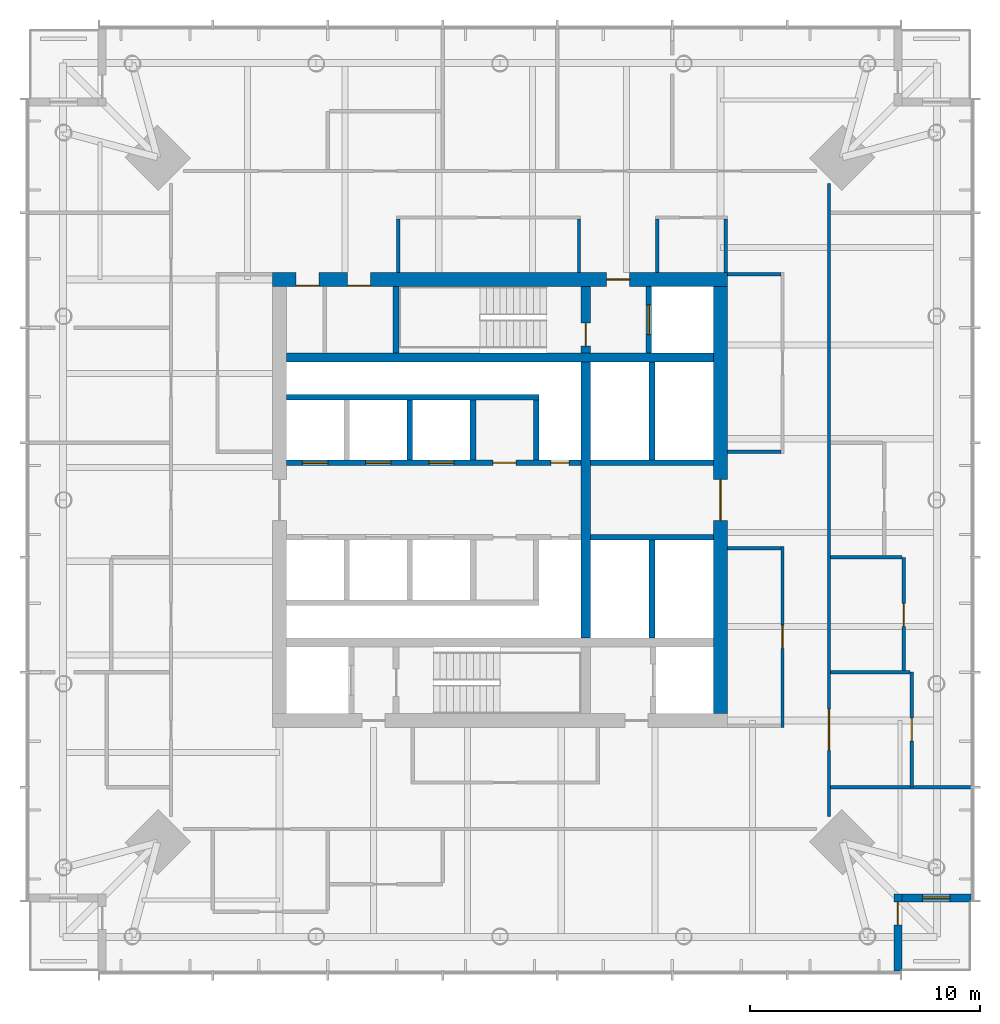
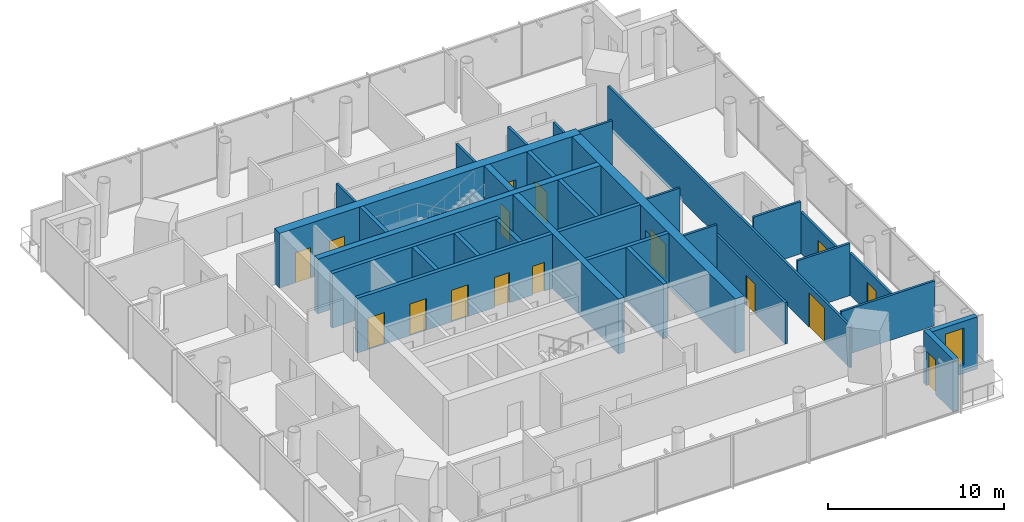
# One storey, part 6 of 9: 32 walls, 16 doors, 1 window, 17 openings.
"""IFC4 building model written with IfcOpenShell, lengths in metres."""

from ifc_helpers import new_model, si_unit, direction, frame, frame_2d, origin, place, context, subcontext, project, spatial, rectangle, extrude, material, layer, layer_set, type_object, element, fill, save


model = new_model("IFC4")

# Units and contexts
model_context = context("Model", 3, precision=1e-05, world=origin(), true_north=direction((0.0, 1.0)))
body_context = subcontext(model_context, "Body", "Model", "MODEL_VIEW")
ifc_project = project(units=[si_unit("LENGTHUNIT", "METRE"), si_unit("AREAUNIT", "SQUARE_METRE"), si_unit("VOLUMEUNIT", "CUBIC_METRE"), si_unit("PLANEANGLEUNIT", "RADIAN"), si_unit("MASSUNIT", "GRAM", prefix="KILO")], contexts=[model_context])

# Site, building, storey
site_placement = place(None, origin())
site = spatial("IfcSite", under=ifc_project, at=site_placement, CompositionType="ELEMENT")
building_placement = place(site_placement, origin())
building = spatial("IfcBuilding", under=site, at=building_placement, Name="Ostroluk Exchange", CompositionType="ELEMENT")
storey_placement = place(building_placement, frame((0.0, 0.0, 176.800048828125)))
storey = spatial("IfcBuildingStorey", under=building, at=storey_placement, Name="L45", CompositionType="ELEMENT", Elevation=176.800048828125)

# Walls
ifc_material_1 = material(Name="Concrete C50/60", Category="concrete")
ifc_layer_1 = layer(ifc_material_1, 0.39990234375)
ifc_layer_set_1 = layer_set([ifc_layer_1], Name="Core cross wall 400 C50/60")
wall_type_1 = type_object("IfcWallType", Name="Core cross wall 400 C50/60", PredefinedType="SHEAR", material=ifc_layer_set_1)
wall_1_placement = place(storey_placement, frame((35.699951171875, 52.199951171875, 0.0), z_axis=(0.0, 0.0, 1.0), x_axis=(1.0, 0.0, 0.0)))
element("IfcWall", 1, at=wall_1_placement, inside=storey, type_object=wall_type_1, Name="T1 core wall XN", PredefinedType="SHEAR", context=body_context, shape_type="SweptSolid", body=[
    extrude(rectangle(XDim=18.60009765625, YDim=0.39990234375, at=frame_2d((9.300048828125, 0.0))), origin(), (0.0, 0.0, 1.0), 3.800048828125),
])
wall_2_placement = place(storey_placement, frame((48.72998046875, 40.0, 0.0), z_axis=(0.0, 0.0, 1.0), x_axis=(0.0, 1.0, 0.0)))
element("IfcWall", 2, at=wall_2_placement, inside=storey, type_object=wall_type_1, Name="T1 core wall YE2", PredefinedType="SHEAR", context=body_context, shape_type="SweptSolid", body=[
    extrude(rectangle(XDim=12.0, YDim=0.39990234375, at=frame_2d((6.0, 0.0))), origin(), (0.0, 0.0, 1.0), 3.800048828125),
])

# Wall, opening, door
wall_3_placement = place(storey_placement, frame((48.72998046875, 52.39990234375, 0.0), z_axis=(0.0, 0.0, 1.0), x_axis=(0.0, 1.0, 0.0)))
wall_3 = element("IfcWall", 3, at=wall_3_placement, inside=storey, type_object=wall_type_1, Name="T1 core wall YE3", PredefinedType="SHEAR", context=body_context, shape_type="SweptSolid", body=[
    extrude(rectangle(XDim=2.900146484375, YDim=0.39990234375, at=frame_2d((1.4501953125, 0.0))), origin(), (0.0, 0.0, 1.0), 3.800048828125),
])
opening_1_placement = place(wall_3_placement, frame((0.300048828125, 0.0, 0.0)))
opening_1 = element("IfcOpeningElement", 4, at=opening_1_placement, cuts=wall_3, Name="Opening FD60", PredefinedType="OPENING", context=body_context, shape_type="SweptSolid", body=[
    extrude(rectangle(XDim=1.0, YDim=2.10009765625, at=frame_2d((0.5, 1.050048828125))), frame((0.0, 0.2099609375, 0.0), z_axis=(0.0, -1.0, 0.0), x_axis=(1.0, 0.0, 0.0)), (0.0, 0.0, 1.0), 0.419921875),
])
ifc_material_2 = material(Name="Steel", Category="steel")
door_type_1 = type_object("IfcDoorType", Name="Fire door EI 60 1000 x 2100", OperationType="SINGLE_SWING_LEFT", PredefinedType="DOOR", material=ifc_material_2)
door_1_placement = place(opening_1_placement, origin())
door_1 = element("IfcDoor", 5, at=door_1_placement, inside=storey, type_object=door_type_1, Name="Stair T1-S2 door", OperationType="SINGLE_SWING_LEFT", OverallHeight=2.10009765625, OverallWidth=1.0, PredefinedType="DOOR", context=body_context, shape_type="SweptSolid", body=[
    extrude(rectangle(XDim=1.0, YDim=2.10009765625, at=frame_2d((0.5, 1.050048828125))), frame((0.0, 0.02490234375, 0.0), z_axis=(0.0, -1.0, 0.0), x_axis=(1.0, 0.0, 0.0)), (0.0, 0.0, 1.0), 0.050048828125),
])
fill(opening_1, door_1)

# Wall
ifc_material_3 = material(Name="Concrete C40/50", Category="concrete")
ifc_layer_2 = layer(ifc_material_3, 0.25)
ifc_layer_set_2 = layer_set([ifc_layer_2], Name="Core shaft wall 250")
wall_type_2 = type_object("IfcWallType", Name="Core shaft wall 250", PredefinedType="SHEAR", material=ifc_layer_set_2)
wall_4_placement = place(storey_placement, frame((40.47509765625, 52.39990234375, 0.0), z_axis=(0.0, 0.0, 1.0), x_axis=(0.0, 1.0, 0.0)))
element("IfcWall", 6, at=wall_4_placement, inside=storey, type_object=wall_type_2, Name="Stair shaft wall", PredefinedType="SHEAR", context=body_context, shape_type="SweptSolid", body=[
    extrude(rectangle(XDim=2.900146484375, YDim=0.25, at=frame_2d((1.4501953125, 0.0))), origin(), (0.0, 0.0, 1.0), 3.800048828125),
])

# Wall, opening, door
wall_5_placement = place(storey_placement, frame((51.47509765625, 52.39990234375, 0.0), z_axis=(0.0, 0.0, 1.0), x_axis=(0.0, 1.0, 0.0)))
wall_5 = element("IfcWall", 7, at=wall_5_placement, inside=storey, type_object=wall_type_2, Name="Firefighting lift shaft wall", PredefinedType="SHEAR", context=body_context, shape_type="SweptSolid", body=[
    extrude(rectangle(XDim=2.900146484375, YDim=0.25, at=frame_2d((1.4501953125, 0.0))), origin(), (0.0, 0.0, 1.0), 3.800048828125),
])
opening_2_placement = place(wall_5_placement, frame((0.800048828125, 0.0, 0.0)))
opening_2 = element("IfcOpeningElement", 8, at=opening_2_placement, cuts=wall_5, Name="Opening LD2", PredefinedType="OPENING", context=body_context, shape_type="SweptSolid", body=[
    extrude(rectangle(XDim=1.300048828125, YDim=2.199951171875, at=frame_2d((0.64990234375, 1.10009765625))), frame((0.0, 0.135009765625, 0.0), z_axis=(0.0, -1.0, 0.0), x_axis=(1.0, 0.0, 0.0)), (0.0, 0.0, 1.0), 0.27001953125),
])
ifc_material_4 = material(Name="Stainless steel", Category="steel")
door_type_2 = type_object("IfcDoorType", Name="Lift landing door E 60 1300 x 2200", OperationType="DOUBLE_DOOR_SLIDING", PredefinedType="DOOR", material=ifc_material_4)
door_2_placement = place(opening_2_placement, origin())
door_2 = element("IfcDoor", 9, at=door_2_placement, inside=storey, type_object=door_type_2, Name="Lift FL2 landing door", OperationType="DOUBLE_DOOR_SLIDING", OverallHeight=2.199951171875, OverallWidth=1.300048828125, PredefinedType="DOOR", context=body_context, shape_type="SweptSolid", body=[
    extrude(rectangle(XDim=1.300048828125, YDim=2.199951171875, at=frame_2d((0.64990234375, 1.10009765625))), frame((0.0, 0.02490234375, 0.0), z_axis=(0.0, -1.0, 0.0), x_axis=(1.0, 0.0, 0.0)), (0.0, 0.0, 1.0), 0.050048828125),
])
fill(opening_2, door_2)

# Walls
for number, where, z_axis, x_axis, name in (
    (10, (41.074951171875, 47.75, 0.0), (0.0, 0.0, 1.0), (0.0, 1.0, 0.0), "Lift shaft wall"),
    (11, (43.824951171875, 47.75, 0.0), (0.0, 0.0, 1.0), (0.0, 1.0, 0.0), "Lift shaft wall"),
    (12, (46.574951171875, 47.75, 0.0), (0.0, 0.0, 1.0), (0.0, 1.0, 0.0), "Lift shaft wall"),
):
    element("IfcWall", number, at=place(storey_placement, frame(where, z_axis=z_axis, x_axis=x_axis)), inside=storey, type_object=wall_type_2, Name=name, PredefinedType="SHEAR", context=body_context, shape_type="SweptSolid", body=[
        extrude(rectangle(XDim=2.60009765625, YDim=0.25, at=frame_2d((1.300048828125, 0.0))), origin(), (0.0, 0.0, 1.0), 3.800048828125),
    ])
wall_6_placement = place(storey_placement, frame((35.699951171875, 50.47509765625, 0.0), z_axis=(0.0, 0.0, 1.0), x_axis=(1.0, 0.0, 0.0)))
element("IfcWall", 13, at=wall_6_placement, inside=storey, type_object=wall_type_2, Name="Lift shaft wall", PredefinedType="SHEAR", context=body_context, shape_type="SweptSolid", body=[
    extrude(rectangle(XDim=11.0, YDim=0.25, at=frame_2d((5.5, 0.0))), origin(), (0.0, 0.0, 1.0), 3.800048828125),
])

# Wall, openings, doors
wall_7_placement = place(storey_placement, frame((35.699951171875, 47.625, 0.0), z_axis=(0.0, 0.0, 1.0), x_axis=(1.0, 0.0, 0.0)))
wall_7 = element("IfcWall", 14, at=wall_7_placement, inside=storey, type_object=wall_type_2, Name="Lift shaft front wall", PredefinedType="SHEAR", context=body_context, shape_type="SweptSolid", body=[
    extrude(rectangle(XDim=12.830078125, YDim=0.25, at=frame_2d((6.4150390625, 0.0))), origin(), (0.0, 0.0, 1.0), 3.800048828125),
])
opening_3_placement = place(wall_7_placement, frame((0.699951171875, 0.0, 0.0)))
opening_3 = element("IfcOpeningElement", 15, at=opening_3_placement, cuts=wall_7, Name="Opening LD", PredefinedType="OPENING", context=body_context, shape_type="SweptSolid", body=[
    extrude(rectangle(XDim=1.10009765625, YDim=2.199951171875, at=frame_2d((0.550048828125, 1.10009765625))), frame((0.0, 0.135009765625, 0.0), z_axis=(0.0, -1.0, 0.0), x_axis=(1.0, 0.0, 0.0)), (0.0, 0.0, 1.0), 0.27001953125),
])
opening_4_placement = place(wall_7_placement, frame((3.449951171875, 0.0, 0.0)))
opening_4 = element("IfcOpeningElement", 16, at=opening_4_placement, cuts=wall_7, Name="Opening LD", PredefinedType="OPENING", context=body_context, shape_type="SweptSolid", body=[
    extrude(rectangle(XDim=1.10009765625, YDim=2.199951171875, at=frame_2d((0.550048828125, 1.10009765625))), frame((0.0, 0.135009765625, 0.0), z_axis=(0.0, -1.0, 0.0), x_axis=(1.0, 0.0, 0.0)), (0.0, 0.0, 1.0), 0.27001953125),
])
opening_5_placement = place(wall_7_placement, frame((6.199951171875, 0.0, 0.0)))
opening_5 = element("IfcOpeningElement", 17, at=opening_5_placement, cuts=wall_7, Name="Opening LD", PredefinedType="OPENING", context=body_context, shape_type="SweptSolid", body=[
    extrude(rectangle(XDim=1.10009765625, YDim=2.199951171875, at=frame_2d((0.550048828125, 1.10009765625))), frame((0.0, 0.135009765625, 0.0), z_axis=(0.0, -1.0, 0.0), x_axis=(1.0, 0.0, 0.0)), (0.0, 0.0, 1.0), 0.27001953125),
])
opening_6_placement = place(wall_7_placement, frame((9.0, 0.0, 0.0)))
opening_6 = element("IfcOpeningElement", 18, at=opening_6_placement, cuts=wall_7, Name="Opening FD60", PredefinedType="OPENING", context=body_context, shape_type="SweptSolid", body=[
    extrude(rectangle(XDim=1.0, YDim=2.10009765625, at=frame_2d((0.5, 1.050048828125))), frame((0.0, 0.135009765625, 0.0), z_axis=(0.0, -1.0, 0.0), x_axis=(1.0, 0.0, 0.0)), (0.0, 0.0, 1.0), 0.27001953125),
])
opening_7_placement = place(wall_7_placement, frame((11.514892578125, 0.0, 0.0)))
opening_7 = element("IfcOpeningElement", 19, at=opening_7_placement, cuts=wall_7, Name="Opening RD60", PredefinedType="OPENING", context=body_context, shape_type="SweptSolid", body=[
    extrude(rectangle(XDim=0.800048828125, YDim=2.0, at=frame_2d((0.39990234375, 1.0))), frame((0.0, 0.135009765625, 0.0), z_axis=(0.0, -1.0, 0.0), x_axis=(1.0, 0.0, 0.0)), (0.0, 0.0, 1.0), 0.27001953125),
])
door_3_placement = place(opening_6_placement, origin())
door_3 = element("IfcDoor", 20, at=door_3_placement, inside=storey, type_object=door_type_1, Name="Core room door", OperationType="SINGLE_SWING_RIGHT", OverallHeight=2.10009765625, OverallWidth=1.0, PredefinedType="DOOR", context=body_context, shape_type="SweptSolid", body=[
    extrude(rectangle(XDim=1.0, YDim=2.10009765625, at=frame_2d((0.5, 1.050048828125))), frame((0.0, 0.02490234375, 0.0), z_axis=(0.0, -1.0, 0.0), x_axis=(1.0, 0.0, 0.0)), (0.0, 0.0, 1.0), 0.050048828125),
])
fill(opening_6, door_3)
ifc_material_5 = material(Name="Stainless steel", Category="steel")
door_type_3 = type_object("IfcDoorType", Name="Lift landing door E 60 1100 x 2200", OperationType="DOUBLE_DOOR_SLIDING", PredefinedType="DOOR", material=ifc_material_5)
door_4_placement = place(opening_3_placement, origin())
door_4 = element("IfcDoor", 21, at=door_4_placement, inside=storey, type_object=door_type_3, Name="Lift PL-H1 landing door", OperationType="DOUBLE_DOOR_SLIDING", OverallHeight=2.199951171875, OverallWidth=1.10009765625, PredefinedType="DOOR", context=body_context, shape_type="SweptSolid", body=[
    extrude(rectangle(XDim=1.10009765625, YDim=2.199951171875, at=frame_2d((0.550048828125, 1.10009765625))), frame((0.0, 0.02490234375, 0.0), z_axis=(0.0, -1.0, 0.0), x_axis=(1.0, 0.0, 0.0)), (0.0, 0.0, 1.0), 0.050048828125),
])
fill(opening_3, door_4)
door_5_placement = place(opening_4_placement, origin())
door_5 = element("IfcDoor", 22, at=door_5_placement, inside=storey, type_object=door_type_3, Name="Lift PL-H2 landing door", OperationType="DOUBLE_DOOR_SLIDING", OverallHeight=2.199951171875, OverallWidth=1.10009765625, PredefinedType="DOOR", context=body_context, shape_type="SweptSolid", body=[
    extrude(rectangle(XDim=1.10009765625, YDim=2.199951171875, at=frame_2d((0.550048828125, 1.10009765625))), frame((0.0, 0.02490234375, 0.0), z_axis=(0.0, -1.0, 0.0), x_axis=(1.0, 0.0, 0.0)), (0.0, 0.0, 1.0), 0.050048828125),
])
fill(opening_4, door_5)
door_6_placement = place(opening_5_placement, origin())
door_6 = element("IfcDoor", 23, at=door_6_placement, inside=storey, type_object=door_type_3, Name="Lift PL-H3 landing door", OperationType="DOUBLE_DOOR_SLIDING", OverallHeight=2.199951171875, OverallWidth=1.10009765625, PredefinedType="DOOR", context=body_context, shape_type="SweptSolid", body=[
    extrude(rectangle(XDim=1.10009765625, YDim=2.199951171875, at=frame_2d((0.550048828125, 1.10009765625))), frame((0.0, 0.02490234375, 0.0), z_axis=(0.0, -1.0, 0.0), x_axis=(1.0, 0.0, 0.0)), (0.0, 0.0, 1.0), 0.050048828125),
])
fill(opening_5, door_6)
ifc_material_6 = material(Name="Steel", Category="steel")
door_type_4 = type_object("IfcDoorType", Name="Riser access door EI 60 800 x 2000", OperationType="SINGLE_SWING_LEFT", PredefinedType="DOOR", material=ifc_material_6)
door_7_placement = place(opening_7_placement, origin())
door_7 = element("IfcDoor", 24, at=door_7_placement, inside=storey, type_object=door_type_4, Name="Riser access door", OperationType="SINGLE_SWING_RIGHT", OverallHeight=2.0, OverallWidth=0.800048828125, PredefinedType="DOOR", context=body_context, shape_type="SweptSolid", body=[
    extrude(rectangle(XDim=0.800048828125, YDim=2.0, at=frame_2d((0.39990234375, 1.0))), frame((0.0, 0.02490234375, 0.0), z_axis=(0.0, -1.0, 0.0), x_axis=(1.0, 0.0, 0.0)), (0.0, 0.0, 1.0), 0.050048828125),
])
fill(opening_7, door_7)

# Walls
wall_8_placement = place(storey_placement, frame((51.614990234375, 47.75, 0.0), z_axis=(0.0, 0.0, 1.0), x_axis=(0.0, 1.0, 0.0)))
element("IfcWall", 25, at=wall_8_placement, inside=storey, type_object=wall_type_2, Name="Lift shaft wall", PredefinedType="SHEAR", context=body_context, shape_type="SweptSolid", body=[
    extrude(rectangle(XDim=4.25, YDim=0.25, at=frame_2d((2.125, 0.0))), origin(), (0.0, 0.0, 1.0), 3.800048828125),
])
wall_9_placement = place(storey_placement, frame((48.929931640625, 47.625, 0.0), z_axis=(0.0, 0.0, 1.0), x_axis=(1.0, 0.0, 0.0)))
element("IfcWall", 26, at=wall_9_placement, inside=storey, type_object=wall_type_2, Name="Lift shaft front wall", PredefinedType="SHEAR", context=body_context, shape_type="SweptSolid", body=[
    extrude(rectangle(XDim=5.3701171875, YDim=0.25, at=frame_2d((2.68505859375, 0.0))), origin(), (0.0, 0.0, 1.0), 3.800048828125),
])
wall_10_placement = place(storey_placement, frame((51.614990234375, 44.25, 0.0), z_axis=(0.0, 0.0, 1.0), x_axis=(0.0, -1.0, 0.0)))
element("IfcWall", 27, at=wall_10_placement, inside=storey, type_object=wall_type_2, Name="Lift shaft wall", PredefinedType="SHEAR", context=body_context, shape_type="SweptSolid", body=[
    extrude(rectangle(XDim=4.25, YDim=0.25, at=frame_2d((2.125, 0.0))), origin(), (0.0, 0.0, 1.0), 3.800048828125),
])
wall_11_placement = place(storey_placement, frame((48.929931640625, 44.375, 0.0), z_axis=(0.0, 0.0, 1.0), x_axis=(1.0, 0.0, 0.0)))
element("IfcWall", 28, at=wall_11_placement, inside=storey, type_object=wall_type_2, Name="Lift shaft front wall", PredefinedType="SHEAR", context=body_context, shape_type="SweptSolid", body=[
    extrude(rectangle(XDim=5.3701171875, YDim=0.25, at=frame_2d((2.68505859375, 0.0))), origin(), (0.0, 0.0, 1.0), 3.800048828125),
])

# Wall, openings, doors
ifc_material_7 = material(Name="Concrete C50/60", Category="concrete")
ifc_layer_3 = layer(ifc_material_7, 0.60009765625)
ifc_layer_set_3 = layer_set([ifc_layer_3], Name="Core wall 600 C50/60")
wall_type_3 = type_object("IfcWallType", Name="Core wall 600 C50/60", PredefinedType="SHEAR", material=ifc_layer_set_3)
wall_12_placement = place(storey_placement, frame((35.10009765625, 55.60009765625, 0.0), z_axis=(0.0, 0.0, 1.0), x_axis=(1.0, 0.0, 0.0)))
wall_12 = element("IfcWall", 29, at=wall_12_placement, inside=storey, type_object=wall_type_3, Name="T1 core wall N", PredefinedType="SHEAR", context=body_context, shape_type="SweptSolid", body=[
    extrude(rectangle(XDim=19.7998046875, YDim=0.60009765625, at=frame_2d((9.89990234375, 0.0))), origin(), (0.0, 0.0, 1.0), 3.800048828125),
])
opening_8_placement = place(wall_12_placement, frame((14.5400390625, 0.0, 0.0)))
opening_8 = element("IfcOpeningElement", 30, at=opening_8_placement, cuts=wall_12, Name="Opening FD60", PredefinedType="OPENING", context=body_context, shape_type="SweptSolid", body=[
    extrude(rectangle(XDim=1.0, YDim=2.10009765625, at=frame_2d((0.5, 1.050048828125))), frame((0.0, 0.31005859375, 0.0), z_axis=(0.0, -1.0, 0.0), x_axis=(1.0, 0.0, 0.0)), (0.0, 0.0, 1.0), 0.6201171875),
])
opening_9_placement = place(wall_12_placement, frame((1.02392578125, 0.0, 0.0)))
opening_9 = element("IfcOpeningElement", 31, at=opening_9_placement, cuts=wall_12, Name="Opening FD60", PredefinedType="OPENING", context=body_context, shape_type="SweptSolid", body=[
    extrude(rectangle(XDim=1.0, YDim=2.10009765625, at=frame_2d((0.5, 1.050048828125))), frame((0.0, 0.31005859375, 0.0), z_axis=(0.0, -1.0, 0.0), x_axis=(1.0, 0.0, 0.0)), (0.0, 0.0, 1.0), 0.6201171875),
])
opening_10_placement = place(wall_12_placement, frame((3.261962890625, 0.0, 0.0)))
opening_10 = element("IfcOpeningElement", 32, at=opening_10_placement, cuts=wall_12, Name="Opening FD60", PredefinedType="OPENING", context=body_context, shape_type="SweptSolid", body=[
    extrude(rectangle(XDim=1.0, YDim=2.10009765625, at=frame_2d((0.5, 1.050048828125))), frame((0.0, 0.31005859375, 0.0), z_axis=(0.0, -1.0, 0.0), x_axis=(1.0, 0.0, 0.0)), (0.0, 0.0, 1.0), 0.6201171875),
])
door_8_placement = place(opening_8_placement, origin())
door_8 = element("IfcDoor", 33, at=door_8_placement, inside=storey, type_object=door_type_1, Name="Firefighting lobby door", OperationType="SINGLE_SWING_RIGHT", OverallHeight=2.10009765625, OverallWidth=1.0, PredefinedType="DOOR", context=body_context, shape_type="SweptSolid", body=[
    extrude(rectangle(XDim=1.0, YDim=2.10009765625, at=frame_2d((0.5, 1.050048828125))), frame((0.0, 0.02490234375, 0.0), z_axis=(0.0, -1.0, 0.0), x_axis=(1.0, 0.0, 0.0)), (0.0, 0.0, 1.0), 0.050048828125),
])
fill(opening_8, door_8)
door_9_placement = place(opening_9_placement, origin())
door_9 = element("IfcDoor", 34, at=door_9_placement, inside=storey, type_object=door_type_1, Name="Comms room door", OperationType="SINGLE_SWING_LEFT", OverallHeight=2.10009765625, OverallWidth=1.0, PredefinedType="DOOR", context=body_context, shape_type="SweptSolid", body=[
    extrude(rectangle(XDim=1.0, YDim=2.10009765625, at=frame_2d((0.5, 1.050048828125))), frame((0.0, -0.23974609375, 0.0), z_axis=(0.0, -1.0, 0.0), x_axis=(1.0, 0.0, 0.0)), (0.0, 0.0, 1.0), 0.050048828125),
])
fill(opening_9, door_9)
door_10_placement = place(opening_10_placement, origin())
door_10 = element("IfcDoor", 35, at=door_10_placement, inside=storey, type_object=door_type_1, Name="Print and post room door", OperationType="SINGLE_SWING_LEFT", OverallHeight=2.10009765625, OverallWidth=1.0, PredefinedType="DOOR", context=body_context, shape_type="SweptSolid", body=[
    extrude(rectangle(XDim=1.0, YDim=2.10009765625, at=frame_2d((0.5, 1.050048828125))), frame((0.0, -0.23974609375, 0.0), z_axis=(0.0, -1.0, 0.0), x_axis=(1.0, 0.0, 0.0)), (0.0, 0.0, 1.0), 0.050048828125),
])
fill(opening_10, door_10)

# Wall, opening, door
wall_13_placement = place(storey_placement, frame((54.60009765625, 36.699951171875, 0.0), z_axis=(0.0, 0.0, 1.0), x_axis=(0.0, 1.0, 0.0)))
wall_13 = element("IfcWall", 36, at=wall_13_placement, inside=storey, type_object=wall_type_3, Name="T1 core wall E", PredefinedType="SHEAR", context=body_context, shape_type="SweptSolid", body=[
    extrude(rectangle(XDim=18.60009765625, YDim=0.60009765625, at=frame_2d((9.300048828125, 0.0))), origin(), (0.0, 0.0, 1.0), 3.800048828125),
])
opening_11_placement = place(wall_13_placement, frame((8.39990234375, 0.0, 0.0)))
opening_11 = element("IfcOpeningElement", 37, at=opening_11_placement, cuts=wall_13, Name="Opening FD30D", PredefinedType="OPENING", context=body_context, shape_type="SweptSolid", body=[
    extrude(rectangle(XDim=1.800048828125, YDim=2.39990234375, at=frame_2d((0.89990234375, 1.199951171875))), frame((0.0, 0.31005859375, 0.0), z_axis=(0.0, -1.0, 0.0), x_axis=(1.0, 0.0, 0.0)), (0.0, 0.0, 1.0), 0.6201171875),
])
ifc_material_8 = material(Name="Timber", Category="wood")
door_type_5 = type_object("IfcDoorType", Name="Lobby double door EI 30 1800 x 2400", OperationType="DOUBLE_DOOR_SINGLE_SWING", PredefinedType="DOOR", material=ifc_material_8)
door_11_placement = place(opening_11_placement, origin())
door_11 = element("IfcDoor", 38, at=door_11_placement, inside=storey, type_object=door_type_5, Name="Lift lobby doors", OperationType="DOUBLE_DOOR_SINGLE_SWING", OverallHeight=2.39990234375, OverallWidth=1.800048828125, PredefinedType="DOOR", context=body_context, shape_type="SweptSolid", body=[
    extrude(rectangle(XDim=1.800048828125, YDim=2.39990234375, at=frame_2d((0.89990234375, 1.199951171875))), frame((0.0, 0.02490234375, 0.0), z_axis=(0.0, -1.0, 0.0), x_axis=(1.0, 0.0, 0.0)), (0.0, 0.0, 1.0), 0.050048828125),
])
fill(opening_11, door_11)

ifc_material_9 = material(Name="Limestone", Category="masonry")
ifc_layer_4 = layer(ifc_material_9, 0.35009765625)
ifc_layer_set_4 = layer_set([ifc_layer_4], Name="Limestone facade wall 350")
wall_type_4 = type_object("IfcWallType", Name="Limestone facade wall 350", PredefinedType="SOLIDWALL", material=ifc_layer_set_4)
wall_14_placement = place(storey_placement, frame((62.324951171875, 25.5, 0.0), z_axis=(0.0, 0.0, 1.0), x_axis=(0.0, 1.0, 0.0)))
wall_14 = element("IfcWall", 39, at=wall_14_placement, inside=storey, type_object=wall_type_4, Name="Office tower SE corner wall L45 a", PredefinedType="SOLIDWALL", context=body_context, shape_type="SweptSolid", body=[
    extrude(rectangle(XDim=3.35009765625, YDim=0.35009765625, at=frame_2d((1.675048828125, 0.0))), origin(), (0.0, 0.0, 1.0), 3.619873046875),
])
opening_12_placement = place(wall_14_placement, frame((2.0, 0.0, 0.0)))
opening_12 = element("IfcOpeningElement", 40, at=opening_12_placement, cuts=wall_14, Name="Opening D-B1", PredefinedType="OPENING", context=body_context, shape_type="SweptSolid", body=[
    extrude(rectangle(XDim=1.0, YDim=2.39990234375, at=frame_2d((0.5, 1.199951171875))), frame((0.0, 0.18505859375, 0.0), z_axis=(0.0, -1.0, 0.0), x_axis=(1.0, 0.0, 0.0)), (0.0, 0.0, 1.0), 0.3701171875),
])
ifc_material_10 = material(Name="Bronze framed glazed door", Category="aluminium")
door_type_6 = type_object("IfcDoorType", Name="Balcony door 1000 x 2400", OperationType="SINGLE_SWING_LEFT", PredefinedType="DOOR", material=ifc_material_10)
door_12_placement = place(opening_12_placement, origin())
door_12 = element("IfcDoor", 41, at=door_12_placement, inside=storey, type_object=door_type_6, Name="Office tower SE balcony door L45", OperationType="SINGLE_SWING_RIGHT", OverallHeight=2.39990234375, OverallWidth=1.0, PredefinedType="DOOR", context=body_context, shape_type="SweptSolid", body=[
    extrude(rectangle(XDim=1.0, YDim=2.39990234375, at=frame_2d((0.5, 1.199951171875))), frame((0.0, 0.02490234375, 0.0), z_axis=(0.0, -1.0, 0.0), x_axis=(1.0, 0.0, 0.0)), (0.0, 0.0, 1.0), 0.050048828125),
])
fill(opening_12, door_12)

# Wall, opening, window
wall_15_placement = place(storey_placement, frame((62.5, 28.675048828125, 0.0), z_axis=(0.0, 0.0, 1.0), x_axis=(1.0, 0.0, 0.0)))
wall_15 = element("IfcWall", 42, at=wall_15_placement, inside=storey, type_object=wall_type_4, Name="Office tower SE corner wall L45 b", PredefinedType="SOLIDWALL", context=body_context, shape_type="SweptSolid", body=[
    extrude(rectangle(XDim=3.0, YDim=0.35009765625, at=frame_2d((1.5, 0.0))), origin(), (0.0, 0.0, 1.0), 3.619873046875),
])
opening_13_placement = place(wall_15_placement, frame((0.89990234375, 0.0, 0.60009765625)))
opening_13 = element("IfcOpeningElement", 43, at=opening_13_placement, cuts=wall_15, Name="Opening WN-L1", PredefinedType="OPENING", context=body_context, shape_type="SweptSolid", body=[
    extrude(rectangle(XDim=1.199951171875, YDim=2.550048828125, at=frame_2d((0.60009765625, 1.27490234375))), frame((0.0, 0.18505859375, 0.0), z_axis=(0.0, -1.0, 0.0), x_axis=(1.0, 0.0, 0.0)), (0.0, 0.0, 1.0), 0.3701171875),
])
ifc_material_11 = material(Name="Laminated clear glass", Category="glass")
window_type = type_object("IfcWindowType", Name="Lancet window 1200 x 2550", PartitioningType="SINGLE_PANEL", PredefinedType="WINDOW", material=ifc_material_11)
window_placement = place(opening_13_placement, origin())
window = element("IfcWindow", 44, at=window_placement, inside=storey, type_object=window_type, Name="Office tower SE lancet window L45", OverallHeight=2.550048828125, OverallWidth=1.199951171875, PartitioningType="SINGLE_PANEL", PredefinedType="WINDOW", context=body_context, shape_type="SweptSolid", body=[
    extrude(rectangle(XDim=1.199951171875, YDim=2.550048828125, at=frame_2d((0.60009765625, 1.27490234375))), frame((0.0, 0.030029296875, 0.0), z_axis=(0.0, -1.0, 0.0), x_axis=(1.0, 0.0, 0.0)), (0.0, 0.0, 1.0), 0.06005859375),
])
fill(opening_13, window)

# Wall, opening, door
ifc_material_12 = material(Name="Gypsum plasterboard partition", Category="gypsum")
ifc_layer_5 = layer(ifc_material_12, 0.14990234375)
ifc_layer_set_5 = layer_set([ifc_layer_5], Name="Plasterboard partition 150")
wall_type_5 = type_object("IfcWallType", Name="Plasterboard partition 150", PredefinedType="PARTITIONING", material=ifc_layer_set_5)
wall_16_placement = place(storey_placement, frame((57.300048828125, 36.10009765625, 0.0), z_axis=(0.0, 0.0, 1.0), x_axis=(0.0, 1.0, 0.0)))
wall_16 = element("IfcWall", 45, at=wall_16_placement, inside=storey, type_object=wall_type_5, Name="Partition", PredefinedType="PARTITIONING", context=body_context, shape_type="SweptSolid", body=[
    extrude(rectangle(XDim=7.875, YDim=0.14990234375, at=frame_2d((3.9375, 0.0))), origin(), (0.0, 0.0, 1.0), 2.866943359375),
])
opening_14_placement = place(wall_16_placement, frame((3.4375, 0.0, 0.0)))
opening_14 = element("IfcOpeningElement", 46, at=opening_14_placement, cuts=wall_16, Name="Opening D-03", PredefinedType="OPENING", context=body_context, shape_type="SweptSolid", body=[
    extrude(rectangle(XDim=1.0, YDim=2.10009765625, at=frame_2d((0.5, 1.050048828125))), frame((0.0, 0.0849609375, 0.0), z_axis=(0.0, -1.0, 0.0), x_axis=(1.0, 0.0, 0.0)), (0.0, 0.0, 1.0), 0.169921875),
])
ifc_material_13 = material(Name="Timber", Category="wood")
door_type_7 = type_object("IfcDoorType", Name="Internal door 1000 x 2100", OperationType="SINGLE_SWING_LEFT", PredefinedType="DOOR", material=ifc_material_13)
door_13_placement = place(opening_14_placement, origin())
door_13 = element("IfcDoor", 47, at=door_13_placement, inside=storey, type_object=door_type_7, Name="Meeting room door", OperationType="SINGLE_SWING_LEFT", OverallHeight=2.10009765625, OverallWidth=1.0, PredefinedType="DOOR", context=body_context, shape_type="SweptSolid", body=[
    extrude(rectangle(XDim=1.0, YDim=2.10009765625, at=frame_2d((0.5, 1.050048828125))), frame((0.0, 0.02490234375, 0.0), z_axis=(0.0, -1.0, 0.0), x_axis=(1.0, 0.0, 0.0)), (0.0, 0.0, 1.0), 0.050048828125),
])
fill(opening_14, door_13)

# Walls
for number, where, z_axis, x_axis, name in (
    (48, (54.89990234375, 43.89990234375, 0.0), (0.0, 0.0, 1.0), (1.0, 0.0, 0.0), "Partition"),
    (49, (54.89990234375, 48.10009765625, 0.0), (0.0, 0.0, 1.0), (1.0, 0.0, 0.0), "Partition"),
    (50, (54.89990234375, 55.824951171875, 0.0), (0.0, 0.0, 1.0), (1.0, 0.0, 0.0), "Partition"),
):
    element("IfcWall", number, at=place(storey_placement, frame(where, z_axis=z_axis, x_axis=x_axis)), inside=storey, type_object=wall_type_5, Name=name, PredefinedType="PARTITIONING", context=body_context, shape_type="SweptSolid", body=[
        extrude(rectangle(XDim=2.3251953125, YDim=0.14990234375, at=frame_2d((1.16259765625, 0.0))), origin(), (0.0, 0.0, 1.0), 3.619873046875),
    ])
wall_17_placement = place(storey_placement, frame((54.824951171875, 55.89990234375, 0.0), z_axis=(0.0, 0.0, 1.0), x_axis=(0.0, 1.0, 0.0)))
element("IfcWall", 51, at=wall_17_placement, inside=storey, type_object=wall_type_5, Name="Partition", PredefinedType="PARTITIONING", context=body_context, shape_type="SweptSolid", body=[
    extrude(rectangle(XDim=2.3251953125, YDim=0.14990234375, at=frame_2d((1.16259765625, 0.0))), origin(), (0.0, 0.0, 1.0), 2.866943359375),
])
for number, where, z_axis, x_axis, name in (
    (52, (51.840087890625, 55.89990234375, 0.0), (0.0, 0.0, 1.0), (0.0, 1.0, 0.0), "Partition"),
    (53, (48.43994140625, 55.89990234375, 0.0), (0.0, 0.0, 1.0), (0.0, 1.0, 0.0), "Partition"),
    (54, (40.56201171875, 55.89990234375, 0.0), (0.0, 0.0, 1.0), (0.0, 1.0, 0.0), "Partition"),
):
    element("IfcWall", number, at=place(storey_placement, frame(where, z_axis=z_axis, x_axis=x_axis)), inside=storey, type_object=wall_type_5, Name=name, PredefinedType="PARTITIONING", context=body_context, shape_type="SweptSolid", body=[
        extrude(rectangle(XDim=2.3251953125, YDim=0.14990234375, at=frame_2d((1.16259765625, 0.0))), origin(), (0.0, 0.0, 1.0), 3.619873046875),
    ])

# Wall, opening, door
wall_18_placement = place(storey_placement, frame((59.324951171875, 32.214111328125, 0.0), z_axis=(0.0, 0.0, 1.0), x_axis=(0.0, 1.0, 0.0)))
wall_18 = element("IfcWall", 55, at=wall_18_placement, inside=storey, type_object=wall_type_5, Name="Partition", PredefinedType="PARTITIONING", context=body_context, shape_type="SweptSolid", body=[
    extrude(rectangle(XDim=27.57177734375, YDim=0.14990234375, at=frame_2d((13.785888671875, 0.0))), origin(), (0.0, 0.0, 1.0), 2.866943359375),
])
opening_15_placement = place(wall_18_placement, frame((2.8857421875, 0.0, 0.0)))
opening_15 = element("IfcOpeningElement", 56, at=opening_15_placement, cuts=wall_18, Name="Opening D-04", PredefinedType="OPENING", context=body_context, shape_type="SweptSolid", body=[
    extrude(rectangle(XDim=1.800048828125, YDim=2.39990234375, at=frame_2d((0.89990234375, 1.199951171875))), frame((0.0, 0.0849609375, 0.0), z_axis=(0.0, -1.0, 0.0), x_axis=(1.0, 0.0, 0.0)), (0.0, 0.0, 1.0), 0.169921875),
])
ifc_material_14 = material(Name="Timber", Category="wood")
door_type_8 = type_object("IfcDoorType", Name="Double door 1800 x 2400", OperationType="DOUBLE_DOOR_SINGLE_SWING", PredefinedType="DOOR", material=ifc_material_14)
door_14_placement = place(opening_15_placement, origin())
door_14 = element("IfcDoor", 57, at=door_14_placement, inside=storey, type_object=door_type_8, Name="Office reception door", OperationType="DOUBLE_DOOR_SINGLE_SWING", OverallHeight=2.39990234375, OverallWidth=1.800048828125, PredefinedType="DOOR", context=body_context, shape_type="SweptSolid", body=[
    extrude(rectangle(XDim=1.800048828125, YDim=2.39990234375, at=frame_2d((0.89990234375, 1.199951171875))), frame((0.0, 0.02490234375, 0.0), z_axis=(0.0, -1.0, 0.0), x_axis=(1.0, 0.0, 0.0)), (0.0, 0.0, 1.0), 0.050048828125),
])
fill(opening_15, door_14)

# Wall
wall_19_placement = place(storey_placement, frame((59.39990234375, 33.5, 0.0), z_axis=(0.0, 0.0, 1.0), x_axis=(1.0, 0.0, 0.0)))
element("IfcWall", 58, at=wall_19_placement, inside=storey, type_object=wall_type_5, Name="Partition", PredefinedType="PARTITIONING", context=body_context, shape_type="SweptSolid", body=[
    extrude(rectangle(XDim=6.14013671875, YDim=0.14990234375, at=frame_2d((3.070068359375, 0.0))), origin(), (0.0, 0.0, 1.0), 3.119873046875),
])

# Wall, opening, door
wall_20_placement = place(storey_placement, frame((62.928466796875, 33.5, 0.0), z_axis=(0.0, 0.0, 1.0), x_axis=(0.0, 1.0, 0.0)))
wall_20 = element("IfcWall", 59, at=wall_20_placement, inside=storey, type_object=wall_type_5, Name="Partition", PredefinedType="PARTITIONING", context=body_context, shape_type="SweptSolid", body=[
    extrude(rectangle(XDim=5.0, YDim=0.14990234375, at=frame_2d((2.5, 0.0))), origin(), (0.0, 0.0, 1.0), 2.919921875),
])
opening_16_placement = place(wall_20_placement, frame((2.0, 0.0, 0.0)))
opening_16 = element("IfcOpeningElement", 60, at=opening_16_placement, cuts=wall_20, Name="Opening D-03", PredefinedType="OPENING", context=body_context, shape_type="SweptSolid", body=[
    extrude(rectangle(XDim=1.0, YDim=2.10009765625, at=frame_2d((0.5, 1.050048828125))), frame((0.0, 0.0849609375, 0.0), z_axis=(0.0, -1.0, 0.0), x_axis=(1.0, 0.0, 0.0)), (0.0, 0.0, 1.0), 0.169921875),
])
door_15_placement = place(opening_16_placement, origin())
door_15 = element("IfcDoor", 61, at=door_15_placement, inside=storey, type_object=door_type_7, Name="Office reception door", OperationType="SINGLE_SWING_LEFT", OverallHeight=2.10009765625, OverallWidth=1.0, PredefinedType="DOOR", context=body_context, shape_type="SweptSolid", body=[
    extrude(rectangle(XDim=1.0, YDim=2.10009765625, at=frame_2d((0.5, 1.050048828125))), frame((0.0, 0.02490234375, 0.0), z_axis=(0.0, -1.0, 0.0), x_axis=(1.0, 0.0, 0.0)), (0.0, 0.0, 1.0), 0.050048828125),
])
fill(opening_16, door_15)

wall_21_placement = place(storey_placement, frame((62.585205078125, 38.5, 0.0), z_axis=(0.0, 0.0, 1.0), x_axis=(0.0, 1.0, 0.0)))
wall_21 = element("IfcWall", 62, at=wall_21_placement, inside=storey, type_object=wall_type_5, Name="Partition", PredefinedType="PARTITIONING", context=body_context, shape_type="SweptSolid", body=[
    extrude(rectangle(XDim=5.0, YDim=0.14990234375, at=frame_2d((2.5, 0.0))), origin(), (0.0, 0.0, 1.0), 2.866943359375),
])
opening_17_placement = place(wall_21_placement, frame((2.0, 0.0, 0.0)))
opening_17 = element("IfcOpeningElement", 63, at=opening_17_placement, cuts=wall_21, Name="Opening D-03", PredefinedType="OPENING", context=body_context, shape_type="SweptSolid", body=[
    extrude(rectangle(XDim=1.0, YDim=2.10009765625, at=frame_2d((0.5, 1.050048828125))), frame((0.0, 0.0849609375, 0.0), z_axis=(0.0, -1.0, 0.0), x_axis=(1.0, 0.0, 0.0)), (0.0, 0.0, 1.0), 0.169921875),
])
door_16_placement = place(opening_17_placement, origin())
door_16 = element("IfcDoor", 64, at=door_16_placement, inside=storey, type_object=door_type_7, Name="Meeting room door", OperationType="SINGLE_SWING_LEFT", OverallHeight=2.10009765625, OverallWidth=1.0, PredefinedType="DOOR", context=body_context, shape_type="SweptSolid", body=[
    extrude(rectangle(XDim=1.0, YDim=2.10009765625, at=frame_2d((0.5, 1.050048828125))), frame((0.0, 0.02490234375, 0.0), z_axis=(0.0, -1.0, 0.0), x_axis=(1.0, 0.0, 0.0)), (0.0, 0.0, 1.0), 0.050048828125),
])
fill(opening_17, door_16)

# Walls
wall_22_placement = place(storey_placement, frame((59.39990234375, 38.5, 0.0), z_axis=(0.0, 0.0, 1.0), x_axis=(1.0, 0.0, 0.0)))
element("IfcWall", 65, at=wall_22_placement, inside=storey, type_object=wall_type_5, Name="Partition", PredefinedType="PARTITIONING", context=body_context, shape_type="SweptSolid", body=[
    extrude(rectangle(XDim=3.45361328125, YDim=0.14990234375, at=frame_2d((1.726806640625, 0.0))), origin(), (0.0, 0.0, 1.0), 3.619873046875),
])
wall_23_placement = place(storey_placement, frame((59.39990234375, 43.5, 0.0), z_axis=(0.0, 0.0, 1.0), x_axis=(1.0, 0.0, 0.0)))
element("IfcWall", 66, at=wall_23_placement, inside=storey, type_object=wall_type_5, Name="Partition", PredefinedType="PARTITIONING", context=body_context, shape_type="SweptSolid", body=[
    extrude(rectangle(XDim=3.1103515625, YDim=0.14990234375, at=frame_2d((1.55517578125, 0.0))), origin(), (0.0, 0.0, 1.0), 3.619873046875),
])

save(model, "model.ifc")
